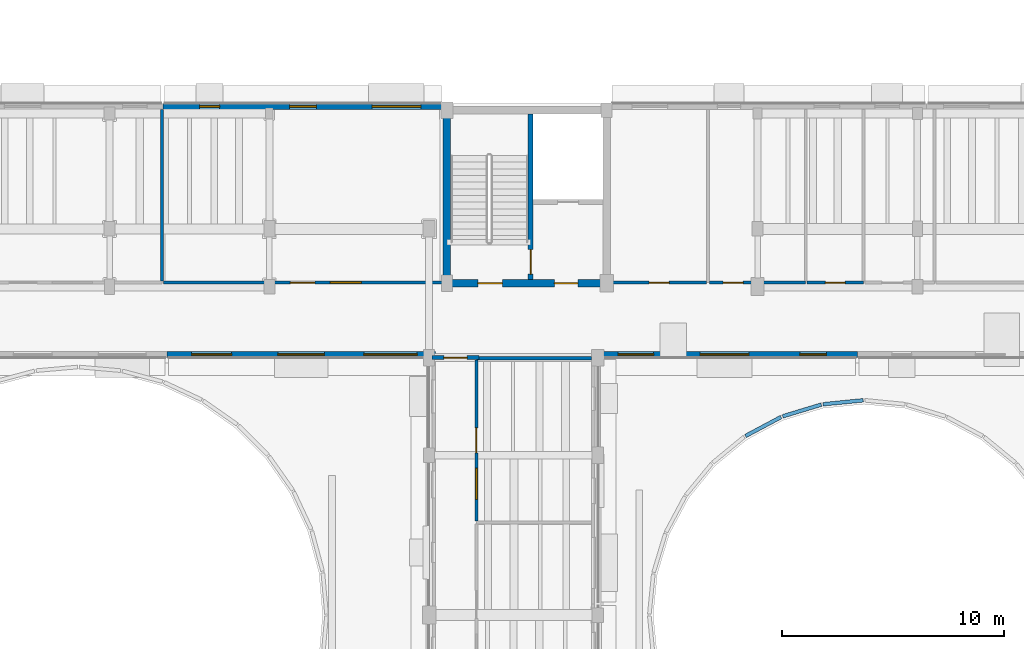
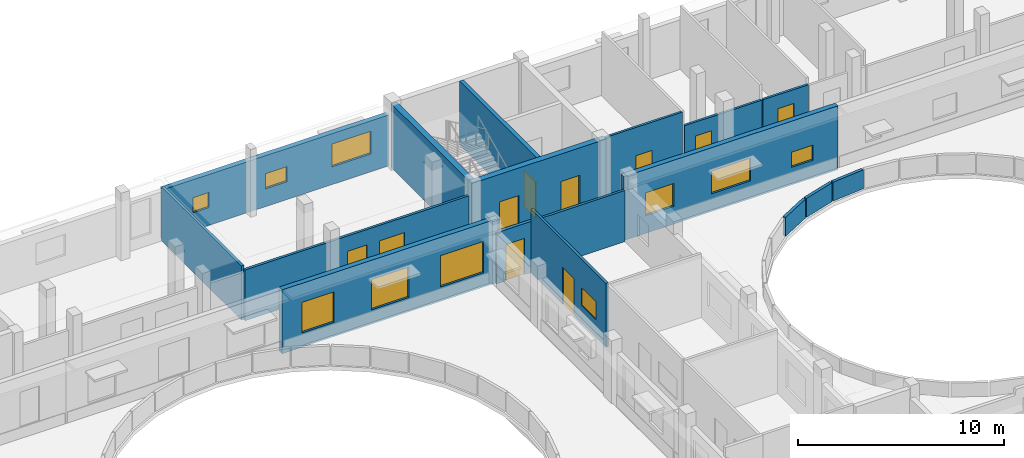
# One storey, part 64 of 78: 17 walls, 11 windows, 9 doors, 20 openings.
"""IFC4 building model written with IfcOpenShell, lengths in metres."""

from ifc_helpers import new_model, si_unit, direction, frame, frame_2d, origin, place, context, subcontext, project, spatial, rectangle, extrude, material, layer, layer_set, type_object, element, fill, save


model = new_model("IFC4")

# Units and contexts
model_context = context("Model", 3, precision=1e-05, world=origin(), true_north=direction((0.0, 1.0)))
body_context = subcontext(model_context, "Body", "Model", "MODEL_VIEW")
ifc_project = project(units=[si_unit("LENGTHUNIT", "METRE"), si_unit("AREAUNIT", "SQUARE_METRE"), si_unit("VOLUMEUNIT", "CUBIC_METRE"), si_unit("PLANEANGLEUNIT", "RADIAN"), si_unit("MASSUNIT", "GRAM", prefix="KILO")], contexts=[model_context])

# Site, building, storey
site_placement = place(None, origin())
site = spatial("IfcSite", under=ifc_project, at=site_placement, CompositionType="ELEMENT")
building_placement = place(site_placement, origin())
building = spatial("IfcBuilding", under=site, at=building_placement, Name="Kelanivale Promenade Academy", CompositionType="ELEMENT")
storey_placement = place(building_placement, frame((0.0, 0.0, 16.199951171875)))
storey = spatial("IfcBuildingStorey", under=building, at=storey_placement, Name="L04", CompositionType="ELEMENT", Elevation=16.199951171875)

# Wall, openings, doors
ifc_material_1 = material(Name="Concrete C40/50", Category="concrete")
ifc_layer_1 = layer(ifc_material_1, 0.330078125)
ifc_layer_set_1 = layer_set([ifc_layer_1], Name="Concrete C40/50")
wall_type_1 = type_object("IfcWallType", Name="CW-S1 Wall 330mm", PredefinedType="SHEAR", material=ifc_layer_set_1)
wall_1_placement = place(storey_placement, frame((79.8349609375, 71.75, 0.0), z_axis=(0.0, 0.0, 1.0), x_axis=(1.0, 0.0, 0.0)))
wall_1 = element("IfcWall", 1, at=wall_1_placement, inside=storey, type_object=wall_type_1, Name="CORE-2 RC shear wall S L04", PredefinedType="SHEAR", context=body_context, shape_type="SweptSolid", body=[
    extrude(rectangle(XDim=7.530029296875, YDim=0.330078125, at=frame_2d((3.76513671875, 0.0))), origin(), (0.0, 0.0, 1.0), 3.780029296875),
])
opening_1_placement = place(wall_1_placement, frame((5.014892578125, 0.0, 0.0)))
opening_1 = element("IfcOpeningElement", 2, at=opening_1_placement, cuts=wall_1, Name="Opening FD-CORE-2-LB-L04", PredefinedType="OPENING", context=body_context, shape_type="SweptSolid", body=[
    extrude(rectangle(XDim=1.050048828125, YDim=2.14990234375, at=frame_2d((0.52490234375, 1.074951171875))), frame((0.0, 0.175048828125, 0.0), z_axis=(0.0, -1.0, 0.0), x_axis=(1.0, 0.0, 0.0)), (0.0, 0.0, 1.0), 0.35009765625),
])
opening_2_placement = place(wall_1_placement, frame((1.56494140625, 0.0, 0.0)))
opening_2 = element("IfcOpeningElement", 3, at=opening_2_placement, cuts=wall_1, Name="Opening FD-CORE-2-ST-L04", PredefinedType="OPENING", context=body_context, shape_type="SweptSolid", body=[
    extrude(rectangle(XDim=1.10009765625, YDim=2.14990234375, at=frame_2d((0.550048828125, 1.074951171875))), frame((0.0, 0.175048828125, 0.0), z_axis=(0.0, -1.0, 0.0), x_axis=(1.0, 0.0, 0.0)), (0.0, 0.0, 1.0), 0.35009765625),
])
ifc_material_2 = material(Name="Fire-rated steel-core teak veneer", Category="steel")
door_type_1 = type_object("IfcDoorType", Name="DT-F01 Door 1100x2150", OperationType="NOTDEFINED", PredefinedType="DOOR", material=ifc_material_2)
door_1_placement = place(opening_2_placement, frame((1.10009765625, 0.0, 0.0), z_axis=(0.0, 0.0, 1.0), x_axis=(-1.0, 0.0, 0.0)))
door_1 = element("IfcDoor", 4, at=door_1_placement, inside=storey, type_object=door_type_1, Name="CORE-2 protected stair fire door L04", OperationType="SINGLE_SWING_LEFT", OverallHeight=2.14990234375, OverallWidth=1.10009765625, PredefinedType="DOOR", context=body_context, shape_type="SweptSolid", body=[
    extrude(rectangle(XDim=1.10009765625, YDim=2.14990234375, at=frame_2d((0.550048828125, 1.074951171875))), frame((0.0, 0.02490234375, 0.0), z_axis=(0.0, -1.0, 0.0), x_axis=(1.0, 0.0, 0.0)), (0.0, 0.0, 1.0), 0.050048828125),
])
fill(opening_2, door_1)
door_type_2 = type_object("IfcDoorType", Name="DT-F03 Door 1050x2150", OperationType="NOTDEFINED", PredefinedType="DOOR", material=ifc_material_2)
door_2_placement = place(opening_1_placement, origin())
door_2 = element("IfcDoor", 5, at=door_2_placement, inside=storey, type_object=door_type_2, Name="CORE-2 corridor-to-lobby fire door L04", OperationType="SINGLE_SWING_RIGHT", OverallHeight=2.14990234375, OverallWidth=1.050048828125, PredefinedType="DOOR", context=body_context, shape_type="SweptSolid", body=[
    extrude(rectangle(XDim=1.050048828125, YDim=2.14990234375, at=frame_2d((0.52490234375, 1.074951171875))), frame((0.0, 0.02490234375, 0.0), z_axis=(0.0, -1.0, 0.0), x_axis=(1.0, 0.0, 0.0)), (0.0, 0.0, 1.0), 0.050048828125),
])
fill(opening_1, door_2)

# Wall
wall_2_placement = place(storey_placement, frame((80.0, 71.9150390625, 0.0), z_axis=(0.0, 0.0, 1.0), x_axis=(0.0, 1.0, 0.0)))
element("IfcWall", 6, at=wall_2_placement, inside=storey, type_object=wall_type_1, Name="CORE-2 RC shear wall W L04", PredefinedType="SHEAR", context=body_context, shape_type="SweptSolid", body=[
    extrude(rectangle(XDim=7.469970703125, YDim=0.330078125, at=frame_2d((3.73486328125, 0.0))), origin(), (0.0, 0.0, 1.0), 3.780029296875),
])

# Wall, opening, door
ifc_layer_2 = layer(ifc_material_1, 0.219970703125)
ifc_layer_set_2 = layer_set([ifc_layer_2], Name="Concrete C40/50")
wall_type_2 = type_object("IfcWallType", Name="CW-S3 Wall 220mm", PredefinedType="SHEAR", material=ifc_layer_set_2)
wall_3_placement = place(storey_placement, frame((83.77490234375, 71.9150390625, 0.0), z_axis=(0.0, 0.0, 1.0), x_axis=(0.0, 1.0, 0.0)))
wall_3 = element("IfcWall", 7, at=wall_3_placement, inside=storey, type_object=wall_type_2, Name="CORE-2 stair-lobby dividing RC wall L04", PredefinedType="SHEAR", context=body_context, shape_type="SweptSolid", body=[
    extrude(rectangle(XDim=7.469970703125, YDim=0.219970703125, at=frame_2d((3.73486328125, 0.0))), origin(), (0.0, 0.0, 1.0), 3.780029296875),
])
opening_3_placement = place(wall_3_placement, frame((0.25, 0.0, 0.0)))
opening_3 = element("IfcOpeningElement", 8, at=opening_3_placement, cuts=wall_3, Name="Opening FD-CORE-2-SL-L04", PredefinedType="OPENING", context=body_context, shape_type="SweptSolid", body=[
    extrude(rectangle(XDim=1.10009765625, YDim=2.14990234375, at=frame_2d((0.550048828125, 1.074951171875))), frame((0.0, 0.1201171875, 0.0), z_axis=(0.0, -1.0, 0.0), x_axis=(1.0, 0.0, 0.0)), (0.0, 0.0, 1.0), 0.239990234375),
])
door_3_placement = place(opening_3_placement, origin())
door_3 = element("IfcDoor", 9, at=door_3_placement, inside=storey, type_object=door_type_1, Name="CORE-2 lobby-to-stair fire door L04", OperationType="SINGLE_SWING_LEFT", OverallHeight=2.14990234375, OverallWidth=1.10009765625, PredefinedType="DOOR", context=body_context, shape_type="SweptSolid", body=[
    extrude(rectangle(XDim=1.10009765625, YDim=2.14990234375, at=frame_2d((0.550048828125, 1.074951171875))), frame((0.0, 0.02490234375, 0.0), z_axis=(0.0, -1.0, 0.0), x_axis=(1.0, 0.0, 0.0)), (0.0, 0.0, 1.0), 0.050048828125),
])
fill(opening_3, door_3)

# Wall, openings, windows
ifc_material_3 = material(Name="Insulated ivory stucco masonry wall 280 mm", Category="masonry")
ifc_layer_3 = layer(ifc_material_3, 0.280029296875)
ifc_layer_set_3 = layer_set([ifc_layer_3], Name="Insulated ivory stucco masonry wall 280 mm")
wall_type_3 = type_object("IfcWallType", Name="EW-02 Wall 280mm", PredefinedType="SOLIDWALL", material=ifc_layer_set_3)
wall_4_placement = place(storey_placement, frame((86.52001953125, 68.5400390625, 0.0), z_axis=(0.0, 0.0, 1.0), x_axis=(1.0, 0.0, 0.0)))
wall_4 = element("IfcWall", 10, at=wall_4_placement, inside=storey, type_object=wall_type_3, Name="L04 exterior facade wall EW-L04-ORT-0522", PredefinedType="SOLIDWALL", context=body_context, shape_type="SweptSolid", body=[
    extrude(rectangle(XDim=11.97998046875, YDim=0.280029296875, at=frame_2d((5.989990234375, 0.0))), origin(), (0.0, 0.0, 1.0), 3.780029296875),
])
opening_4_placement = place(wall_4_placement, frame((1.197021484375, 0.0, 1.050048828125)))
opening_4 = element("IfcOpeningElement", 11, at=opening_4_placement, cuts=wall_4, Name="Opening WT-07", PredefinedType="OPENING", context=body_context, shape_type="SweptSolid", body=[
    extrude(rectangle(XDim=1.60009765625, YDim=1.35009765625, at=frame_2d((0.800048828125, 0.675048828125))), frame((0.0, 0.14990234375, 0.0), z_axis=(0.0, -1.0, 0.0), x_axis=(1.0, 0.0, 0.0)), (0.0, 0.0, 1.0), 0.300048828125),
])
opening_5_placement = place(wall_4_placement, frame((4.889892578125, 0.0, 1.050048828125)))
opening_5 = element("IfcOpeningElement", 12, at=opening_5_placement, cuts=wall_4, Name="Opening WT-08", PredefinedType="OPENING", context=body_context, shape_type="SweptSolid", body=[
    extrude(rectangle(XDim=2.199951171875, YDim=1.35009765625, at=frame_2d((1.10009765625, 0.675048828125))), frame((0.0, 0.14990234375, 0.0), z_axis=(0.0, -1.0, 0.0), x_axis=(1.0, 0.0, 0.0)), (0.0, 0.0, 1.0), 0.300048828125),
])
opening_6_placement = place(wall_4_placement, frame((9.383056640625, 0.0, 1.050048828125)))
opening_6 = element("IfcOpeningElement", 13, at=opening_6_placement, cuts=wall_4, Name="Opening WT-09", PredefinedType="OPENING", context=body_context, shape_type="SweptSolid", body=[
    extrude(rectangle(XDim=1.199951171875, YDim=0.89990234375, at=frame_2d((0.60009765625, 0.449951171875))), frame((0.0, 0.14990234375, 0.0), z_axis=(0.0, -1.0, 0.0), x_axis=(1.0, 0.0, 0.0)), (0.0, 0.0, 1.0), 0.300048828125),
])
ifc_material_4 = material(Name="Bronze anodised aluminium frame with low-E laminated glass", Category="aluminium")
window_type_1 = type_object("IfcWindowType", Name="WT-07 Window 1600x1350", PartitioningType="SINGLE_PANEL", PredefinedType="WINDOW", material=ifc_material_4)
window_1_placement = place(opening_4_placement, origin())
window_1 = element("IfcWindow", 14, at=window_1_placement, inside=storey, type_object=window_type_1, Name="Window WT-07", OverallHeight=1.35009765625, OverallWidth=1.60009765625, PartitioningType="SINGLE_PANEL", PredefinedType="WINDOW", context=body_context, shape_type="SweptSolid", body=[
    extrude(rectangle(XDim=1.60009765625, YDim=1.35009765625, at=frame_2d((0.800048828125, 0.675048828125))), frame((0.0, 0.030029296875, 0.0), z_axis=(0.0, -1.0, 0.0), x_axis=(1.0, 0.0, 0.0)), (0.0, 0.0, 1.0), 0.06005859375),
])
fill(opening_4, window_1)
window_type_2 = type_object("IfcWindowType", Name="WT-08 Window 2200x1350", PartitioningType="SINGLE_PANEL", PredefinedType="WINDOW", material=ifc_material_4)
window_2_placement = place(opening_5_placement, origin())
window_2 = element("IfcWindow", 15, at=window_2_placement, inside=storey, type_object=window_type_2, Name="Window WT-08", OverallHeight=1.35009765625, OverallWidth=2.199951171875, PartitioningType="SINGLE_PANEL", PredefinedType="WINDOW", context=body_context, shape_type="SweptSolid", body=[
    extrude(rectangle(XDim=2.199951171875, YDim=1.35009765625, at=frame_2d((1.10009765625, 0.675048828125))), frame((0.0, 0.030029296875, 0.0), z_axis=(0.0, -1.0, 0.0), x_axis=(1.0, 0.0, 0.0)), (0.0, 0.0, 1.0), 0.06005859375),
])
fill(opening_5, window_2)
window_type_3 = type_object("IfcWindowType", Name="WT-09 Window 1200x900", PartitioningType="SINGLE_PANEL", PredefinedType="WINDOW", material=ifc_material_4)
window_3_placement = place(opening_6_placement, origin())
window_3 = element("IfcWindow", 16, at=window_3_placement, inside=storey, type_object=window_type_3, Name="Window WT-09", OverallHeight=0.89990234375, OverallWidth=1.199951171875, PartitioningType="SINGLE_PANEL", PredefinedType="WINDOW", context=body_context, shape_type="SweptSolid", body=[
    extrude(rectangle(XDim=1.199951171875, YDim=0.89990234375, at=frame_2d((0.60009765625, 0.449951171875))), frame((0.0, 0.030029296875, 0.0), z_axis=(0.0, -1.0, 0.0), x_axis=(1.0, 0.0, 0.0)), (0.0, 0.0, 1.0), 0.06005859375),
])
fill(opening_6, window_3)

wall_5_placement = place(storey_placement, frame((79.8349609375, 79.7099609375, 0.0), z_axis=(0.0, 0.0, 1.0), x_axis=(-1.0, 0.0, 0.0)))
wall_5 = element("IfcWall", 17, at=wall_5_placement, inside=storey, type_object=wall_type_3, Name="L04 exterior facade wall EW-L04-ORT-0544", PredefinedType="SOLIDWALL", context=body_context, shape_type="SweptSolid", body=[
    extrude(rectangle(XDim=12.635009765625, YDim=0.280029296875, at=frame_2d((6.3173828125, 0.0))), origin(), (0.0, 0.0, 1.0), 3.010009765625),
])
opening_7_placement = place(wall_5_placement, frame((1.006103515625, 0.0, 1.050048828125)))
opening_7 = element("IfcOpeningElement", 18, at=opening_7_placement, cuts=wall_5, Name="Opening WT-08", PredefinedType="OPENING", context=body_context, shape_type="SweptSolid", body=[
    extrude(rectangle(XDim=2.199951171875, YDim=1.35009765625, at=frame_2d((1.10009765625, 0.675048828125))), frame((0.0, 0.14990234375, 0.0), z_axis=(0.0, -1.0, 0.0), x_axis=(1.0, 0.0, 0.0)), (0.0, 0.0, 1.0), 0.300048828125),
])
opening_8_placement = place(wall_5_placement, frame((5.717041015625, 0.0, 1.050048828125)))
opening_8 = element("IfcOpeningElement", 19, at=opening_8_placement, cuts=wall_5, Name="Opening WT-09", PredefinedType="OPENING", context=body_context, shape_type="SweptSolid", body=[
    extrude(rectangle(XDim=1.199951171875, YDim=0.89990234375, at=frame_2d((0.60009765625, 0.449951171875))), frame((0.0, 0.14990234375, 0.0), z_axis=(0.0, -1.0, 0.0), x_axis=(1.0, 0.0, 0.0)), (0.0, 0.0, 1.0), 0.300048828125),
])
opening_9_placement = place(wall_5_placement, frame((10.0791015625, 0.0, 1.050048828125)))
opening_9 = element("IfcOpeningElement", 20, at=opening_9_placement, cuts=wall_5, Name="Opening WT-10", PredefinedType="OPENING", context=body_context, shape_type="SweptSolid", body=[
    extrude(rectangle(XDim=0.89990234375, YDim=0.89990234375, at=frame_2d((0.449951171875, 0.449951171875))), frame((0.0, 0.14990234375, 0.0), z_axis=(0.0, -1.0, 0.0), x_axis=(1.0, 0.0, 0.0)), (0.0, 0.0, 1.0), 0.300048828125),
])
window_4_placement = place(opening_7_placement, origin())
window_4 = element("IfcWindow", 21, at=window_4_placement, inside=storey, type_object=window_type_2, Name="Window WT-08", OverallHeight=1.35009765625, OverallWidth=2.199951171875, PartitioningType="SINGLE_PANEL", PredefinedType="WINDOW", context=body_context, shape_type="SweptSolid", body=[
    extrude(rectangle(XDim=2.199951171875, YDim=1.35009765625, at=frame_2d((1.10009765625, 0.675048828125))), frame((0.0, 0.030029296875, 0.0), z_axis=(0.0, -1.0, 0.0), x_axis=(1.0, 0.0, 0.0)), (0.0, 0.0, 1.0), 0.06005859375),
])
fill(opening_7, window_4)
window_5_placement = place(opening_8_placement, origin())
window_5 = element("IfcWindow", 22, at=window_5_placement, inside=storey, type_object=window_type_3, Name="Window WT-09", OverallHeight=0.89990234375, OverallWidth=1.199951171875, PartitioningType="SINGLE_PANEL", PredefinedType="WINDOW", context=body_context, shape_type="SweptSolid", body=[
    extrude(rectangle(XDim=1.199951171875, YDim=0.89990234375, at=frame_2d((0.60009765625, 0.449951171875))), frame((0.0, 0.030029296875, 0.0), z_axis=(0.0, -1.0, 0.0), x_axis=(1.0, 0.0, 0.0)), (0.0, 0.0, 1.0), 0.06005859375),
])
fill(opening_8, window_5)
window_type_4 = type_object("IfcWindowType", Name="WT-10 Window 900x900", PartitioningType="SINGLE_PANEL", PredefinedType="WINDOW", material=ifc_material_4)
window_6_placement = place(opening_9_placement, origin())
window_6 = element("IfcWindow", 23, at=window_6_placement, inside=storey, type_object=window_type_4, Name="Window WT-10", OverallHeight=0.89990234375, OverallWidth=0.89990234375, PartitioningType="SINGLE_PANEL", PredefinedType="WINDOW", context=body_context, shape_type="SweptSolid", body=[
    extrude(rectangle(XDim=0.89990234375, YDim=0.89990234375, at=frame_2d((0.449951171875, 0.449951171875))), frame((0.0, 0.030029296875, 0.0), z_axis=(0.0, -1.0, 0.0), x_axis=(1.0, 0.0, 0.0)), (0.0, 0.0, 1.0), 0.06005859375),
])
fill(opening_9, window_6)

wall_6_placement = place(storey_placement, frame((67.386962890625, 68.5400390625, 0.0), z_axis=(0.0, 0.0, 1.0), x_axis=(1.0, 0.0, 0.0)))
wall_6 = element("IfcWall", 24, at=wall_6_placement, inside=storey, type_object=wall_type_3, Name="L04 exterior facade wall EW-L04-ORT-0551", PredefinedType="SOLIDWALL", context=body_context, shape_type="SweptSolid", body=[
    extrude(rectangle(XDim=12.093017578125, YDim=0.280029296875, at=frame_2d((6.04638671875, 0.0))), origin(), (0.0, 0.0, 1.0), 3.780029296875),
])
opening_10_placement = place(wall_6_placement, frame((1.115966796875, 0.0, 0.85009765625)))
opening_10 = element("IfcOpeningElement", 25, at=opening_10_placement, cuts=wall_6, Name="Opening WT-01", PredefinedType="OPENING", context=body_context, shape_type="SweptSolid", body=[
    extrude(rectangle(XDim=1.800048828125, YDim=1.800048828125, at=frame_2d((0.89990234375, 0.89990234375))), frame((0.0, 0.14990234375, 0.0), z_axis=(0.0, -1.0, 0.0), x_axis=(1.0, 0.0, 0.0)), (0.0, 0.0, 1.0), 0.300048828125),
])
opening_11_placement = place(wall_6_placement, frame((4.9970703125, 0.0, 0.85009765625)))
opening_11 = element("IfcOpeningElement", 26, at=opening_11_placement, cuts=wall_6, Name="Opening WT-02", PredefinedType="OPENING", context=body_context, shape_type="SweptSolid", body=[
    extrude(rectangle(XDim=2.10009765625, YDim=1.800048828125, at=frame_2d((1.050048828125, 0.89990234375))), frame((0.0, 0.14990234375, 0.0), z_axis=(0.0, -1.0, 0.0), x_axis=(1.0, 0.0, 0.0)), (0.0, 0.0, 1.0), 0.300048828125),
])
opening_12_placement = place(wall_6_placement, frame((8.8779296875, 0.0, 0.85009765625)))
opening_12 = element("IfcOpeningElement", 27, at=opening_12_placement, cuts=wall_6, Name="Opening WT-03", PredefinedType="OPENING", context=body_context, shape_type="SweptSolid", body=[
    extrude(rectangle(XDim=2.39990234375, YDim=1.85009765625, at=frame_2d((1.199951171875, 0.925048828125))), frame((0.0, 0.14990234375, 0.0), z_axis=(0.0, -1.0, 0.0), x_axis=(1.0, 0.0, 0.0)), (0.0, 0.0, 1.0), 0.300048828125),
])
window_type_5 = type_object("IfcWindowType", Name="WT-01 Window 1800x1800", PartitioningType="SINGLE_PANEL", PredefinedType="WINDOW", material=ifc_material_4)
window_7_placement = place(opening_10_placement, origin())
window_7 = element("IfcWindow", 28, at=window_7_placement, inside=storey, type_object=window_type_5, Name="Window WT-01", OverallHeight=1.800048828125, OverallWidth=1.800048828125, PartitioningType="SINGLE_PANEL", PredefinedType="WINDOW", context=body_context, shape_type="SweptSolid", body=[
    extrude(rectangle(XDim=1.800048828125, YDim=1.800048828125, at=frame_2d((0.89990234375, 0.89990234375))), frame((0.0, 0.030029296875, 0.0), z_axis=(0.0, -1.0, 0.0), x_axis=(1.0, 0.0, 0.0)), (0.0, 0.0, 1.0), 0.06005859375),
])
fill(opening_10, window_7)
window_type_6 = type_object("IfcWindowType", Name="WT-02 Window 2100x1800", PartitioningType="SINGLE_PANEL", PredefinedType="WINDOW", material=ifc_material_4)
window_8_placement = place(opening_11_placement, origin())
window_8 = element("IfcWindow", 29, at=window_8_placement, inside=storey, type_object=window_type_6, Name="Window WT-02", OverallHeight=1.800048828125, OverallWidth=2.10009765625, PartitioningType="SINGLE_PANEL", PredefinedType="WINDOW", context=body_context, shape_type="SweptSolid", body=[
    extrude(rectangle(XDim=2.10009765625, YDim=1.800048828125, at=frame_2d((1.050048828125, 0.89990234375))), frame((0.0, 0.030029296875, 0.0), z_axis=(0.0, -1.0, 0.0), x_axis=(1.0, 0.0, 0.0)), (0.0, 0.0, 1.0), 0.06005859375),
])
fill(opening_11, window_8)
window_type_7 = type_object("IfcWindowType", Name="WT-03 Window 2400x1850", PartitioningType="SINGLE_PANEL", PredefinedType="WINDOW", material=ifc_material_4)
window_9_placement = place(opening_12_placement, origin())
window_9 = element("IfcWindow", 30, at=window_9_placement, inside=storey, type_object=window_type_7, Name="Window WT-03", OverallHeight=1.85009765625, OverallWidth=2.39990234375, PartitioningType="SINGLE_PANEL", PredefinedType="WINDOW", context=body_context, shape_type="SweptSolid", body=[
    extrude(rectangle(XDim=2.39990234375, YDim=1.85009765625, at=frame_2d((1.199951171875, 0.925048828125))), frame((0.0, 0.030029296875, 0.0), z_axis=(0.0, -1.0, 0.0), x_axis=(1.0, 0.0, 0.0)), (0.0, 0.0, 1.0), 0.06005859375),
])
fill(opening_12, window_9)

# Wall, opening, door
ifc_material_5 = material(Name="Autoclaved masonry blockwork 180 mm", Category="masonry")
ifc_layer_4 = layer(ifc_material_5, 0.179931640625)
ifc_layer_set_4 = layer_set([ifc_layer_4], Name="Autoclaved masonry blockwork 180 mm")
wall_type_4 = type_object("IfcWallType", Name="IW-02 Wall 180mm", PredefinedType="PARTITIONING", material=ifc_layer_set_4)
wall_7_placement = place(storey_placement, frame((79.3359375, 68.39990234375, 0.0), z_axis=(0.0, 0.0, 1.0), x_axis=(1.0, 0.0, 0.0)))
wall_7 = element("IfcWall", 31, at=wall_7_placement, inside=storey, type_object=wall_type_4, Name="L04 cross-corridor fire wall", PredefinedType="PARTITIONING", context=body_context, shape_type="SweptSolid", body=[
    extrude(rectangle(XDim=2.114013671875, YDim=0.179931640625, at=frame_2d((1.05712890625, 0.0))), origin(), (0.0, 0.0, 1.0), 3.025146484375),
])
opening_13_placement = place(wall_7_placement, frame((0.531982421875, 0.0, 0.0)))
opening_13 = element("IfcOpeningElement", 32, at=opening_13_placement, cuts=wall_7, Name="Opening FD-L04-CC-174", PredefinedType="OPENING", context=body_context, shape_type="SweptSolid", body=[
    extrude(rectangle(XDim=1.050048828125, YDim=2.14990234375, at=frame_2d((0.52490234375, 1.074951171875))), frame((0.0, 0.10009765625, 0.0), z_axis=(0.0, -1.0, 0.0), x_axis=(1.0, 0.0, 0.0)), (0.0, 0.0, 1.0), 0.199951171875),
])
door_4_placement = place(opening_13_placement, origin())
door_4 = element("IfcDoor", 33, at=door_4_placement, inside=storey, type_object=door_type_2, Name="L04 cross-corridor fire door FD-L04-CC-174", OperationType="SINGLE_SWING_LEFT", OverallHeight=2.14990234375, OverallWidth=1.050048828125, PredefinedType="DOOR", context=body_context, shape_type="SweptSolid", body=[
    extrude(rectangle(XDim=1.050048828125, YDim=2.14990234375, at=frame_2d((0.52490234375, 1.074951171875))), frame((0.0, 0.02490234375, 0.0), z_axis=(0.0, -1.0, 0.0), x_axis=(1.0, 0.0, 0.0)), (0.0, 0.0, 1.0), 0.050048828125),
])
fill(opening_13, door_4)

# Wall
ifc_material_6 = material(Name="Acoustic double-stud gypsum board partition 140 mm", Category="masonry")
ifc_layer_5 = layer(ifc_material_6, 0.139892578125)
ifc_layer_set_5 = layer_set([ifc_layer_5], Name="Acoustic double-stud gypsum board partition 140 mm")
wall_type_5 = type_object("IfcWallType", Name="IW-04 Wall 140mm", PredefinedType="PARTITIONING", material=ifc_layer_set_5)
wall_8_placement = place(storey_placement, frame((86.52197265625, 68.3701171875, 0.0), z_axis=(0.0, 0.0, 1.0), x_axis=(-1.0, 0.0, 0.0)))
element("IfcWall", 34, at=wall_8_placement, inside=storey, type_object=wall_type_5, Name="L04 partition Robotics Workshop", PredefinedType="PARTITIONING", context=body_context, shape_type="SweptSolid", body=[
    extrude(rectangle(XDim=5.19189453125, YDim=0.139892578125, at=frame_2d((2.595947265625, 0.0))), origin(), (0.0, 0.0, 1.0), 3.025146484375),
])

# Wall, openings, door, window
wall_9_placement = place(storey_placement, frame((81.330078125, 68.302001953125, 0.0), z_axis=(0.0, 0.0, 1.0), x_axis=(0.0, -1.0, 0.0)))
wall_9 = element("IfcWall", 35, at=wall_9_placement, inside=storey, type_object=wall_type_5, Name="L04 partition Robotics Workshop", PredefinedType="PARTITIONING", context=body_context, shape_type="SweptSolid", body=[
    extrude(rectangle(XDim=7.263916015625, YDim=0.139892578125, at=frame_2d((3.6318359375, 0.0))), origin(), (0.0, 0.0, 1.0), 3.775146484375),
])
opening_14_placement = place(wall_9_placement, frame((3.072021484375, 0.0, 0.0)))
opening_14 = element("IfcOpeningElement", 36, at=opening_14_placement, cuts=wall_9, Name="Opening ID-L04-181", PredefinedType="OPENING", context=body_context, shape_type="SweptSolid", body=[
    extrude(rectangle(XDim=1.1201171875, YDim=2.179931640625, at=frame_2d((0.56005859375, 1.08984375))), frame((0.0, 0.080078125, 0.0), z_axis=(0.0, -1.0, 0.0), x_axis=(1.0, 0.0, 0.0)), (0.0, 0.0, 1.0), 0.159912109375),
])
opening_15_placement = place(wall_9_placement, frame((4.89208984375, 0.0, 1.050048828125)))
opening_15 = element("IfcOpeningElement", 37, at=opening_15_placement, cuts=wall_9, Name="Opening WT-I03", PredefinedType="OPENING", context=body_context, shape_type="SweptSolid", body=[
    extrude(rectangle(XDim=1.39990234375, YDim=1.050048828125, at=frame_2d((0.699951171875, 0.52490234375))), frame((0.0, 0.080078125, 0.0), z_axis=(0.0, -1.0, 0.0), x_axis=(1.0, 0.0, 0.0)), (0.0, 0.0, 1.0), 0.159912109375),
])
ifc_material_7 = material(Name="Solid-core tropical teak timber", Category="wood")
door_type_3 = type_object("IfcDoorType", Name="DT-I17 Door 1120x2180", OperationType="NOTDEFINED", PredefinedType="DOOR", material=ifc_material_7)
door_5_placement = place(opening_14_placement, origin())
door_5 = element("IfcDoor", 38, at=door_5_placement, inside=storey, type_object=door_type_3, Name="Robotics Workshop door ID-L04-181", OperationType="SINGLE_SWING_LEFT", OverallHeight=2.179931640625, OverallWidth=1.1201171875, PredefinedType="DOOR", context=body_context, shape_type="SweptSolid", body=[
    extrude(rectangle(XDim=1.1201171875, YDim=2.179931640625, at=frame_2d((0.56005859375, 1.08984375))), frame((0.0, 0.02490234375, 0.0), z_axis=(0.0, -1.0, 0.0), x_axis=(1.0, 0.0, 0.0)), (0.0, 0.0, 1.0), 0.050048828125),
])
fill(opening_14, door_5)
window_type_8 = type_object("IfcWindowType", Name="WT-I03 Window 1400x1050", PartitioningType="SINGLE_PANEL", PredefinedType="WINDOW", material=ifc_material_4)
window_10_placement = place(opening_15_placement, origin())
window_10 = element("IfcWindow", 39, at=window_10_placement, inside=storey, type_object=window_type_8, Name="Interior observation window WT-I03", OverallHeight=1.050048828125, OverallWidth=1.39990234375, PartitioningType="SINGLE_PANEL", PredefinedType="WINDOW", context=body_context, shape_type="SweptSolid", body=[
    extrude(rectangle(XDim=1.39990234375, YDim=1.050048828125, at=frame_2d((0.699951171875, 0.52490234375))), frame((0.0, 0.030029296875, 0.0), z_axis=(0.0, -1.0, 0.0), x_axis=(1.0, 0.0, 0.0)), (0.0, 0.0, 1.0), 0.06005859375),
])
fill(opening_15, window_10)

# Wall
wall_10_placement = place(storey_placement, frame((67.169921875, 71.847900390625, 0.0), z_axis=(0.0, 0.0, 1.0), x_axis=(0.0, 1.0, 0.0)))
element("IfcWall", 40, at=wall_10_placement, inside=storey, type_object=wall_type_5, Name="L04 partition Sixth Form Classroom West", PredefinedType="PARTITIONING", context=body_context, shape_type="SweptSolid", body=[
    extrude(rectangle(XDim=7.72412109375, YDim=0.139892578125, at=frame_2d((3.862060546875, 0.0))), origin(), (0.0, 0.0, 1.0), 3.2099609375),
])

# Wall, openings, door, window
wall_11_placement = place(storey_placement, frame((67.22998046875, 71.780029296875, 0.0), z_axis=(0.0, 0.0, 1.0), x_axis=(1.0, 0.0, 0.0)))
wall_11 = element("IfcWall", 41, at=wall_11_placement, inside=storey, type_object=wall_type_5, Name="L04 partition ICT Computing Studio", PredefinedType="PARTITIONING", context=body_context, shape_type="SweptSolid", body=[
    extrude(rectangle(XDim=12.5400390625, YDim=0.139892578125, at=frame_2d((6.27001953125, 0.0))), origin(), (0.0, 0.0, 1.0), 3.010009765625),
])
opening_16_placement = place(wall_11_placement, frame((5.719970703125, 0.0, 0.0)))
opening_16 = element("IfcOpeningElement", 42, at=opening_16_placement, cuts=wall_11, Name="Opening ID-L04-184", PredefinedType="OPENING", context=body_context, shape_type="SweptSolid", body=[
    extrude(rectangle(XDim=1.10009765625, YDim=2.10009765625, at=frame_2d((0.550048828125, 1.050048828125))), frame((0.0, 0.080078125, 0.0), z_axis=(0.0, -1.0, 0.0), x_axis=(1.0, 0.0, 0.0)), (0.0, 0.0, 1.0), 0.159912109375),
])
opening_17_placement = place(wall_11_placement, frame((7.52001953125, 0.0, 1.050048828125)))
opening_17 = element("IfcOpeningElement", 43, at=opening_17_placement, cuts=wall_11, Name="Opening WT-I03", PredefinedType="OPENING", context=body_context, shape_type="SweptSolid", body=[
    extrude(rectangle(XDim=1.39990234375, YDim=1.050048828125, at=frame_2d((0.699951171875, 0.52490234375))), frame((0.0, 0.080078125, 0.0), z_axis=(0.0, -1.0, 0.0), x_axis=(1.0, 0.0, 0.0)), (0.0, 0.0, 1.0), 0.159912109375),
])
door_type_4 = type_object("IfcDoorType", Name="DT-I03 Door 1100x2100", OperationType="NOTDEFINED", PredefinedType="DOOR", material=ifc_material_7)
door_6_placement = place(opening_16_placement, origin())
door_6 = element("IfcDoor", 44, at=door_6_placement, inside=storey, type_object=door_type_4, Name="ICT Computing Studio door ID-L04-184", OperationType="SINGLE_SWING_RIGHT", OverallHeight=2.10009765625, OverallWidth=1.10009765625, PredefinedType="DOOR", context=body_context, shape_type="SweptSolid", body=[
    extrude(rectangle(XDim=1.10009765625, YDim=2.10009765625, at=frame_2d((0.550048828125, 1.050048828125))), frame((0.0, 0.02490234375, 0.0), z_axis=(0.0, -1.0, 0.0), x_axis=(1.0, 0.0, 0.0)), (0.0, 0.0, 1.0), 0.050048828125),
])
fill(opening_16, door_6)
window_11_placement = place(opening_17_placement, origin())
window_11 = element("IfcWindow", 45, at=window_11_placement, inside=storey, type_object=window_type_8, Name="Interior observation window WT-I03", OverallHeight=1.050048828125, OverallWidth=1.39990234375, PartitioningType="SINGLE_PANEL", PredefinedType="WINDOW", context=body_context, shape_type="SweptSolid", body=[
    extrude(rectangle(XDim=1.39990234375, YDim=1.050048828125, at=frame_2d((0.699951171875, 0.52490234375))), frame((0.0, 0.030029296875, 0.0), z_axis=(0.0, -1.0, 0.0), x_axis=(1.0, 0.0, 0.0)), (0.0, 0.0, 1.0), 0.06005859375),
])
fill(opening_17, window_11)

# Wall, opening, door
ifc_material_8 = material(Name="Moisture-resistant masonry wet-room partition 125 mm", Category="masonry")
ifc_layer_6 = layer(ifc_material_8, 0.125)
ifc_layer_set_6 = layer_set([ifc_layer_6], Name="Moisture-resistant masonry wet-room partition 125 mm")
wall_type_6 = type_object("IfcWallType", Name="IW-05 Wall 125mm", PredefinedType="PARTITIONING", material=ifc_layer_set_6)
wall_12_placement = place(storey_placement, frame((87.429931640625, 71.780029296875, 0.0), z_axis=(0.0, 0.0, 1.0), x_axis=(1.0, 0.0, 0.0)))
wall_12 = element("IfcWall", 46, at=wall_12_placement, inside=storey, type_object=wall_type_6, Name="L04 partition Boys Washroom", PredefinedType="PARTITIONING", context=body_context, shape_type="SweptSolid", body=[
    extrude(rectangle(XDim=4.279052734375, YDim=0.125, at=frame_2d((2.1396484375, 0.0))), origin(), (0.0, 0.0, 1.0), 3.775146484375),
])
opening_18_placement = place(wall_12_placement, frame((1.68896484375, 0.0, 0.0)))
opening_18 = element("IfcOpeningElement", 47, at=opening_18_placement, cuts=wall_12, Name="Opening ID-L04-185", PredefinedType="OPENING", context=body_context, shape_type="SweptSolid", body=[
    extrude(rectangle(XDim=0.89990234375, YDim=2.10009765625, at=frame_2d((0.449951171875, 1.050048828125))), frame((0.0, 0.072509765625, 0.0), z_axis=(0.0, -1.0, 0.0), x_axis=(1.0, 0.0, 0.0)), (0.0, 0.0, 1.0), 0.14501953125),
])
door_type_5 = type_object("IfcDoorType", Name="DT-I06 Door 900x2100", OperationType="NOTDEFINED", PredefinedType="DOOR", material=ifc_material_7)
door_7_placement = place(opening_18_placement, origin())
door_7 = element("IfcDoor", 48, at=door_7_placement, inside=storey, type_object=door_type_5, Name="Boys Washroom door ID-L04-185", OperationType="SINGLE_SWING_LEFT", OverallHeight=2.10009765625, OverallWidth=0.89990234375, PredefinedType="DOOR", context=body_context, shape_type="SweptSolid", body=[
    extrude(rectangle(XDim=0.89990234375, YDim=2.10009765625, at=frame_2d((0.449951171875, 1.050048828125))), frame((0.0, 0.02490234375, 0.0), z_axis=(0.0, -1.0, 0.0), x_axis=(1.0, 0.0, 0.0)), (0.0, 0.0, 1.0), 0.050048828125),
])
fill(opening_18, door_7)

wall_13_placement = place(storey_placement, frame((91.8310546875, 71.780029296875, 0.0), z_axis=(0.0, 0.0, 1.0), x_axis=(1.0, 0.0, 0.0)))
wall_13 = element("IfcWall", 49, at=wall_13_placement, inside=storey, type_object=wall_type_6, Name="L04 partition Girls Washroom", PredefinedType="PARTITIONING", context=body_context, shape_type="SweptSolid", body=[
    extrude(rectangle(XDim=4.3388671875, YDim=0.125, at=frame_2d((2.16943359375, 0.0))), origin(), (0.0, 0.0, 1.0), 2.925048828125),
])
opening_19_placement = place(wall_13_placement, frame((0.618896484375, 0.0, 0.0)))
opening_19 = element("IfcOpeningElement", 50, at=opening_19_placement, cuts=wall_13, Name="Opening ID-L04-186", PredefinedType="OPENING", context=body_context, shape_type="SweptSolid", body=[
    extrude(rectangle(XDim=0.89990234375, YDim=2.10009765625, at=frame_2d((0.449951171875, 1.050048828125))), frame((0.0, 0.072509765625, 0.0), z_axis=(0.0, -1.0, 0.0), x_axis=(1.0, 0.0, 0.0)), (0.0, 0.0, 1.0), 0.14501953125),
])
door_8_placement = place(opening_19_placement, origin())
door_8 = element("IfcDoor", 51, at=door_8_placement, inside=storey, type_object=door_type_5, Name="Girls Washroom door ID-L04-186", OperationType="SINGLE_SWING_RIGHT", OverallHeight=2.10009765625, OverallWidth=0.89990234375, PredefinedType="DOOR", context=body_context, shape_type="SweptSolid", body=[
    extrude(rectangle(XDim=0.89990234375, YDim=2.10009765625, at=frame_2d((0.449951171875, 1.050048828125))), frame((0.0, 0.02490234375, 0.0), z_axis=(0.0, -1.0, 0.0), x_axis=(1.0, 0.0, 0.0)), (0.0, 0.0, 1.0), 0.050048828125),
])
fill(opening_19, door_8)

wall_14_placement = place(storey_placement, frame((96.22998046875, 71.780029296875, 0.0), z_axis=(0.0, 0.0, 1.0), x_axis=(1.0, 0.0, 0.0)))
wall_14 = element("IfcWall", 52, at=wall_14_placement, inside=storey, type_object=wall_type_6, Name="L04 partition Staff Washroom", PredefinedType="PARTITIONING", context=body_context, shape_type="SweptSolid", body=[
    extrude(rectangle(XDim=2.5400390625, YDim=0.125, at=frame_2d((1.27001953125, 0.0))), origin(), (0.0, 0.0, 1.0), 2.925048828125),
])
opening_20_placement = place(wall_14_placement, frame((0.820068359375, 0.0, 0.0)))
opening_20 = element("IfcOpeningElement", 53, at=opening_20_placement, cuts=wall_14, Name="Opening ID-L04-187", PredefinedType="OPENING", context=body_context, shape_type="SweptSolid", body=[
    extrude(rectangle(XDim=0.89990234375, YDim=2.10009765625, at=frame_2d((0.449951171875, 1.050048828125))), frame((0.0, 0.072509765625, 0.0), z_axis=(0.0, -1.0, 0.0), x_axis=(1.0, 0.0, 0.0)), (0.0, 0.0, 1.0), 0.14501953125),
])
door_9_placement = place(opening_20_placement, origin())
door_9 = element("IfcDoor", 54, at=door_9_placement, inside=storey, type_object=door_type_5, Name="Staff Washroom door ID-L04-187", OperationType="SINGLE_SWING_LEFT", OverallHeight=2.10009765625, OverallWidth=0.89990234375, PredefinedType="DOOR", context=body_context, shape_type="SweptSolid", body=[
    extrude(rectangle(XDim=0.89990234375, YDim=2.10009765625, at=frame_2d((0.449951171875, 1.050048828125))), frame((0.0, 0.02490234375, 0.0), z_axis=(0.0, -1.0, 0.0), x_axis=(1.0, 0.0, 0.0)), (0.0, 0.0, 1.0), 0.050048828125),
])
fill(opening_20, door_9)

# Walls
ifc_material_9 = material(Name="Precast concrete C40/50", Category="concrete")
ifc_layer_7 = layer(ifc_material_9, 0.1650390625)
ifc_layer_set_7 = layer_set([ifc_layer_7], Name="Precast concrete C40/50")
wall_type_7 = type_object("IfcWallType", Name="PW-02 Wall 165mm", PredefinedType="PARAPET", material=ifc_layer_set_7)
wall_15_placement = place(storey_placement, frame((98.760009765625, 66.47607421875, 0.0), z_axis=(0.0, 0.0, 1.0), x_axis=(-0.995190326425, -0.097960268426, 0.0)))
element("IfcWall", 55, at=wall_15_placement, inside=storey, type_object=wall_type_7, Name="L04 open courtyard roof parapet PW-02", PredefinedType="PARAPET", context=body_context, shape_type="SweptSolid", body=[
    extrude(rectangle(XDim=1.81689453125, YDim=0.1650390625, at=frame_2d((0.908447265625, 0.0))), origin(), (0.0, 0.0, 1.0), 1.1201171875),
])
for number, where, z_axis, x_axis, name in (
    (56, (96.8740234375, 66.281982421875, 0.0), (0.0, 0.0, 1.0), (-0.957050376699, -0.289921672975, 0.0), "L04 open courtyard roof parapet PW-02"),
    (57, (95.06103515625, 65.72412109375, 0.0), (0.0, 0.0, 1.0), (-0.882185622679, -0.470901823248, 0.0), "L04 open courtyard roof parapet PW-02"),
):
    element("IfcWall", number, at=place(storey_placement, frame(where, z_axis=z_axis, x_axis=x_axis)), inside=storey, type_object=wall_type_7, Name=name, PredefinedType="PARAPET", context=body_context, shape_type="SweptSolid", body=[
        extrude(rectangle(XDim=1.818115234375, YDim=0.1650390625, at=frame_2d((0.9091796875, 0.0))), origin(), (0.0, 0.0, 1.0), 1.1201171875),
    ])

save(model, "model.ifc")
